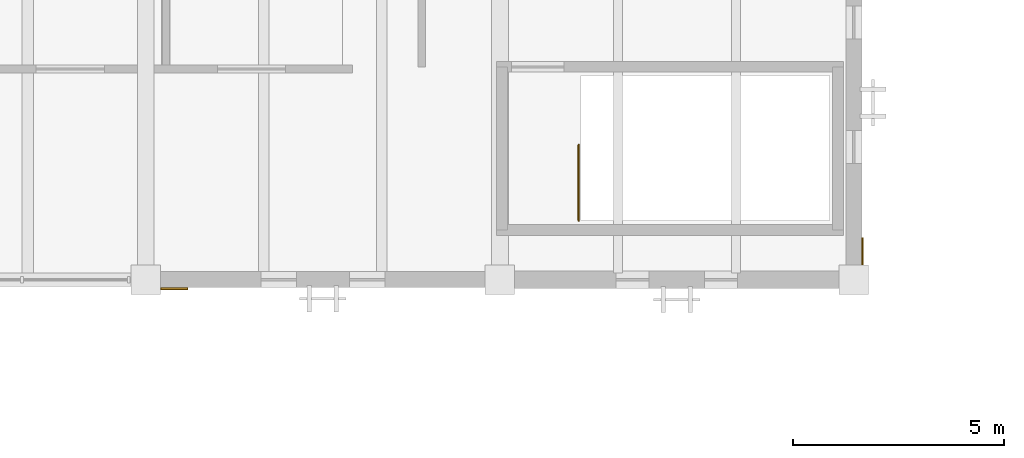
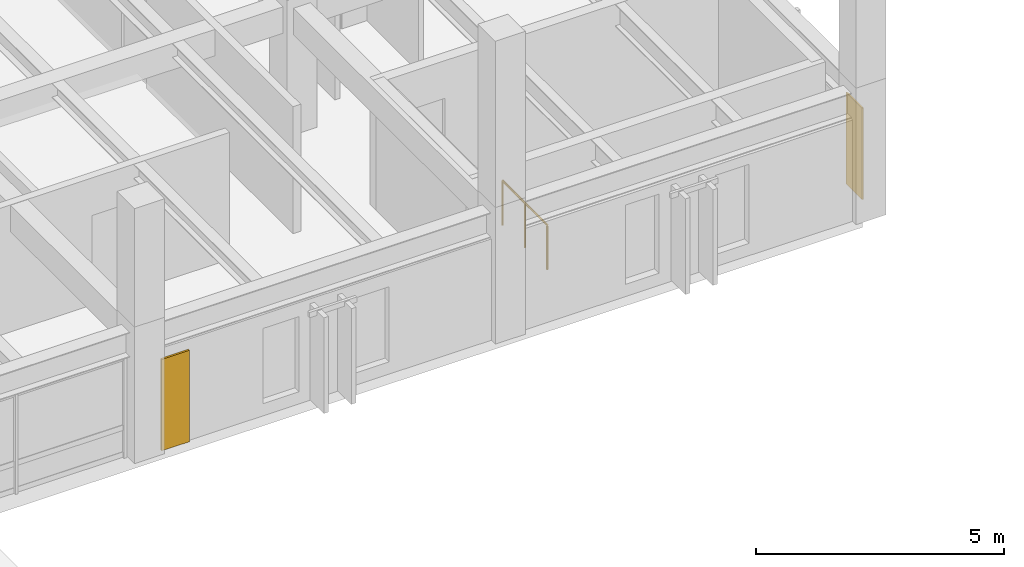
# One storey, part 121 of 123: 2 coverings, 1 railing.
"""IFC4 building model written with IfcOpenShell, lengths in metres."""

from ifc_helpers import new_model, si_unit, direction, frame, origin, origin_2d, place, context, subcontext, project, spatial, polyline, circle, outline, extrude, material, layer, layer_set, type_object, element, save


model = new_model("IFC4")

# Units and contexts
model_context = context("Model", 3, precision=1e-05, world=origin(), true_north=direction((0.0, 1.0)))
body_context = subcontext(model_context, "Body", "Model", "MODEL_VIEW")
ifc_project = project(units=[si_unit("LENGTHUNIT", "METRE"), si_unit("AREAUNIT", "SQUARE_METRE"), si_unit("VOLUMEUNIT", "CUBIC_METRE"), si_unit("PLANEANGLEUNIT", "RADIAN"), si_unit("MASSUNIT", "GRAM", prefix="KILO")], contexts=[model_context])

# Site, building, storey
site_placement = place(None, origin())
site = spatial("IfcSite", under=ifc_project, at=site_placement, CompositionType="ELEMENT")
building_placement = place(site_placement, origin())
building = spatial("IfcBuilding", under=site, at=building_placement, Name="Cumbredor Promenade Congress Hotel", CompositionType="ELEMENT")
storey_placement = place(building_placement, frame((0.0, 0.0, 11.760009765625)))
storey = spatial("IfcBuildingStorey", under=building, at=storey_placement, Name="L03", CompositionType="ELEMENT", Elevation=11.760009765625)

# Covering
ifc_material_1 = material(Name="Precast concrete C40/50", Category="concrete")
ifc_layer_1 = layer(ifc_material_1, 0.044921875, Name="Precast concrete C40/50", Category="concrete")
ifc_layer_set_1 = layer_set([ifc_layer_1], Name="Precast concrete C40/50")
covering_type_1 = type_object("IfcCoveringType", Name="Board-Formed Architectural Cladding Panel 45mm", PredefinedType="CLADDING", material=ifc_layer_set_1)
covering_1_placement = place(storey_placement, origin())
element("IfcCovering", 1, at=covering_1_placement, inside=storey, type_object=covering_type_1, Name="L03 Facade Stone Cladding Pier 142", PredefinedType="CLADDING", context=body_context, shape_type="SweptSolid", body=[
    extrude(outline(polyline([(159.950927734375, 83.81005859375), (160.60107421875, 83.81005859375), (160.60107421875, 83.764892578125), (159.950927734375, 83.764892578125), (159.950927734375, 83.81005859375)])), origin(), (0.0, 0.0, 1.0), 2.25),
])

# Railing
ifc_material_2 = material(Name="Brushed stainless steel", Category="steel")
railing_type = type_object("IfcRailingType", Name="Interior Void & Stair Guardrail GR-1100", PredefinedType="GUARDRAIL", material=ifc_material_2)
railing_placement = place(storey_placement, frame((169.8701171875, 85.39990234375, 0.0)))
element("IfcRailing", 2, at=railing_placement, inside=storey, type_object=railing_type, Name="L03 ST-14 top well guard 1", PredefinedType="GUARDRAIL", context=body_context, shape_type="SweptSolid", body=[
    extrude(circle(Radius=0.02392578125, at=origin_2d()), frame((0.0, 0.0, 1.09619140625), z_axis=(0.0, 1.0, 0.0), x_axis=(-1.0, 0.0, 0.0)), (0.0, 0.0, 1.0), 1.800048828125),
    extrude(circle(Radius=0.02099609375, at=origin_2d()), origin(), (0.0, 0.0, 1.0), 1.072021484375),
    extrude(circle(Radius=0.02099609375, at=origin_2d()), frame((0.0, 0.89990234375, 0.0)), (0.0, 0.0, 1.0), 1.072021484375),
    extrude(circle(Radius=0.02099609375, at=origin_2d()), frame((0.0, 1.800048828125, 0.0)), (0.0, 0.0, 1.0), 1.072021484375),
])

# Covering
ifc_material_3 = material(Name="Volcanic andesite ashlar cladding", Category="masonry")
ifc_layer_2 = layer(ifc_material_3, 0.034912109375, Name="Volcanic andesite ashlar cladding", Category="masonry")
ifc_layer_set_2 = layer_set([ifc_layer_2], Name="Volcanic andesite ashlar cladding")
covering_type_2 = type_object("IfcCoveringType", Name="Volcanic Andesite Ashlar Rainscreen Cladding 35mm", PredefinedType="CLADDING", material=ifc_layer_set_2)
covering_2_placement = place(storey_placement, origin())
element("IfcCovering", 3, at=covering_2_placement, inside=storey, type_object=covering_type_2, Name="L03 Facade Stone Cladding Pier 149", PredefinedType="CLADDING", context=body_context, shape_type="SweptSolid", body=[
    extrude(outline(polyline([(176.590087890625, 84.35107421875), (176.590087890625, 85.0009765625), (176.625, 85.0009765625), (176.625, 84.35107421875), (176.590087890625, 84.35107421875)])), origin(), (0.0, 0.0, 1.0), 2.25),
])

save(model, "model.ifc")
